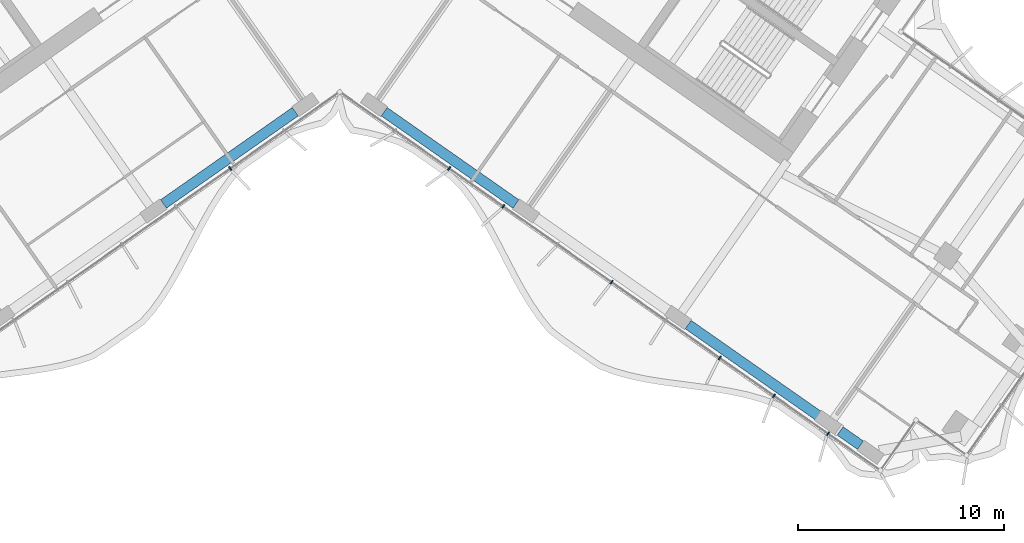
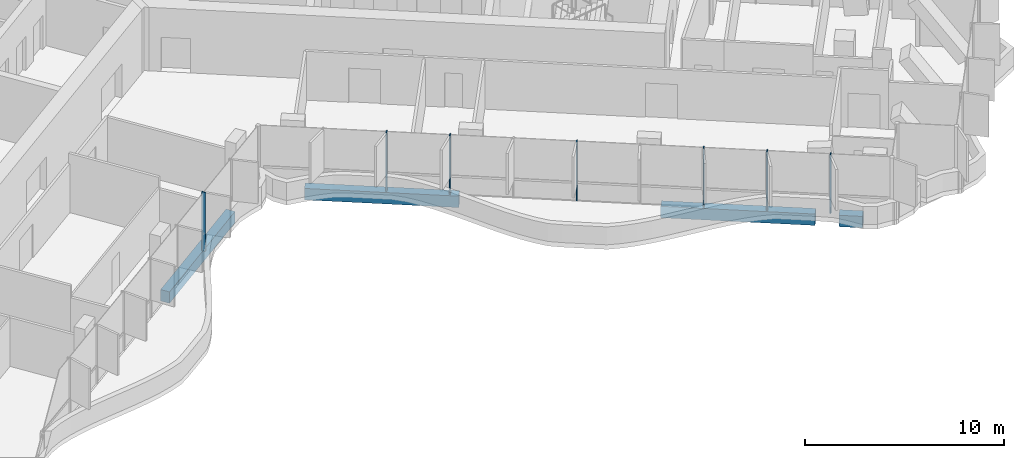
# One storey, part 5 of 23: 7 members, 4 beams, 1 element without a shape of its own.
"""IFC4 building model written with IfcOpenShell, lengths in metres."""

from ifc_helpers import new_model, si_unit, direction, frame, origin, origin_2d, place, context, subcontext, project, spatial, rectangle, extrude, material, material_profile, profile_set, type_object, element, aggregate, save


model = new_model("IFC4")

# Units and contexts
model_context = context("Model", 3, precision=1e-05, world=origin(), true_north=direction((0.0, 1.0)))
body_context = subcontext(model_context, "Body", "Model", "MODEL_VIEW")
ifc_project = project(units=[si_unit("LENGTHUNIT", "METRE"), si_unit("AREAUNIT", "SQUARE_METRE"), si_unit("VOLUMEUNIT", "CUBIC_METRE"), si_unit("PLANEANGLEUNIT", "RADIAN"), si_unit("MASSUNIT", "GRAM", prefix="KILO")], contexts=[model_context])

# Site, building, storey
site_placement = place(None, origin())
site = spatial("IfcSite", under=ifc_project, at=site_placement, CompositionType="ELEMENT")
building_placement = place(site_placement, origin())
building = spatial("IfcBuilding", under=site, at=building_placement, Name="Tel Ilan Convention Tower", CompositionType="ELEMENT")
storey_placement = place(building_placement, frame((0.0, 0.0, 186.60009765625)))
storey = spatial("IfcBuildingStorey", under=building, at=storey_placement, Name="L43", CompositionType="ELEMENT", Elevation=186.60009765625)

# Beams
ifc_material_1 = material(Name="Concrete C40/50", Category="concrete")
ifc_material_profile_1 = material_profile(ifc_material_1, rectangle(XDim=0.5, YDim=0.699951171875, at=origin_2d()), Name="RC 500x700")
ifc_profile_set_1 = profile_set([ifc_material_profile_1], Name="Concrete C40/50")
beam_type = type_object("IfcBeamType", Name="Beam RC 500x700 Concrete C40/50", PredefinedType="BEAM", material=ifc_profile_set_1)
for number, where, z_axis, x_axis, name in (
    (1, (-2.15673828125, -13.656982421875, -0.630126953125), (-0.819153977895, -0.573573674866, 0.0), (0.573573674866, -0.819153977895, 0.0), "L43 beam W-W-F1-W-F2"),
    (2, (2.15673828125, -13.656982421875, -0.630126953125), (0.819153977895, -0.573573674866, 0.0), (0.573573674866, 0.819153977895, 0.0), "L43 beam E-E-F1-E-F2"),
    (3, (16.901611328125, -23.981201171875, -0.630126953125), (0.819153977895, -0.573573674866, 0.0), (0.573573674866, 0.819153977895, 0.0), "L43 beam E-E-F3-E-F4"),
):
    element("IfcBeam", number, at=place(storey_placement, frame(where, z_axis=z_axis, x_axis=x_axis)), inside=storey, type_object=beam_type, Name=name, PredefinedType="BEAM", context=body_context, shape_type="SweptSolid", body=[
        extrude(rectangle(XDim=0.5, YDim=0.699951171875, at=origin_2d()), origin(), (0.0, 0.0, 1.0), 7.800048828125),
    ])
beam_placement = place(storey_placement, frame((24.27392578125, -29.1435546875, -0.630126953125), z_axis=(0.819155442668, -0.573571582932, 0.0), x_axis=(0.573571582932, 0.819155442668, 0.0)))
element("IfcBeam", 4, at=beam_placement, inside=storey, type_object=beam_type, Name="L43 beam E-E-F4-E-FC", PredefinedType="BEAM", context=body_context, shape_type="SweptSolid", body=[
    extrude(rectangle(XDim=0.5, YDim=0.699951171875, at=origin_2d()), origin(), (0.0, 0.0, 1.0), 1.199951171875),
])

# Curtain wall, members
ifc_material_2 = material(Name="Aluminium, bronze anodised", Category="aluminium")
curtain_wall_type = type_object("IfcCurtainWallType", Name="CW4 STICK CURTAIN WALL, OFFICE TINTED GLASS", PredefinedType="NOTDEFINED", material=ifc_material_2)
curtain_wall_placement = place(storey_placement, origin())
curtain_wall = element("IfcCurtainWall", 5, at=curtain_wall_placement, inside=storey, type_object=curtain_wall_type, Name="Curtain wall CW4-33.02", PredefinedType="NOTDEFINED")
ifc_material_3 = material(Name="Aluminium, bronze anodised", Category="aluminium")
ifc_material_profile_2 = material_profile(ifc_material_3, rectangle(XDim=0.06005859375, YDim=0.199951171875, at=origin_2d()), Name="CW MULLION 60x200")
ifc_profile_set_2 = profile_set([ifc_material_profile_2], Name="Aluminium, bronze anodised")
member_type = type_object("IfcMemberType", Name="CW MULLION 60x200", PredefinedType="MULLION", material=ifc_profile_set_2)
member_1_placement = place(storey_placement, frame((-5.307861328125, -16.41259765625, 0.0), z_axis=(0.0, 0.0, 1.0), x_axis=(0.819152044289, 0.573576436351, 0.0)))
member_1 = element("IfcMember", 6, at=member_1_placement, type_object=member_type, Name="Mullion", PredefinedType="MULLION", context=body_context, shape_type="SweptSolid", body=[
    extrude(rectangle(XDim=0.06005859375, YDim=0.199951171875, at=origin_2d()), origin(), (0.0, 0.0, 1.0), 3.619873046875),
])
member_2_placement = place(storey_placement, frame((5.307861328125, -16.41259765625, 0.0), z_axis=(0.0, 0.0, 1.0), x_axis=(0.819152044289, -0.573576436351, 0.0)))
member_2 = element("IfcMember", 7, at=member_2_placement, type_object=member_type, Name="Mullion", PredefinedType="MULLION", context=body_context, shape_type="SweptSolid", body=[
    extrude(rectangle(XDim=0.06005859375, YDim=0.199951171875, at=origin_2d()), origin(), (0.0, 0.0, 1.0), 3.619873046875),
])
member_3_placement = place(storey_placement, frame((7.932861328125, -18.250732421875, 0.0), z_axis=(0.0, 0.0, 1.0), x_axis=(0.819152044289, -0.573576436351, 0.0)))
member_3 = element("IfcMember", 8, at=member_3_placement, type_object=member_type, Name="Mullion", PredefinedType="MULLION", context=body_context, shape_type="SweptSolid", body=[
    extrude(rectangle(XDim=0.06005859375, YDim=0.199951171875, at=origin_2d()), origin(), (0.0, 0.0, 1.0), 3.619873046875),
])
member_4_placement = place(storey_placement, frame((13.183349609375, -21.92724609375, 0.0), z_axis=(0.0, 0.0, 1.0), x_axis=(0.819152044289, -0.573576436351, 0.0)))
member_4 = element("IfcMember", 9, at=member_4_placement, type_object=member_type, Name="Mullion", PredefinedType="MULLION", context=body_context, shape_type="SweptSolid", body=[
    extrude(rectangle(XDim=0.06005859375, YDim=0.199951171875, at=origin_2d()), origin(), (0.0, 0.0, 1.0), 3.619873046875),
])
member_5_placement = place(storey_placement, frame((18.433837890625, -25.603515625, 0.0), z_axis=(0.0, 0.0, 1.0), x_axis=(0.819152044289, -0.573576436351, 0.0)))
member_5 = element("IfcMember", 10, at=member_5_placement, type_object=member_type, Name="Mullion", PredefinedType="MULLION", context=body_context, shape_type="SweptSolid", body=[
    extrude(rectangle(XDim=0.06005859375, YDim=0.199951171875, at=origin_2d()), origin(), (0.0, 0.0, 1.0), 3.619873046875),
])
member_6_placement = place(storey_placement, frame((21.05908203125, -27.441650390625, 0.0), z_axis=(0.0, 0.0, 1.0), x_axis=(0.819152044289, -0.573576436351, 0.0)))
member_6 = element("IfcMember", 11, at=member_6_placement, type_object=member_type, Name="Mullion", PredefinedType="MULLION", context=body_context, shape_type="SweptSolid", body=[
    extrude(rectangle(XDim=0.06005859375, YDim=0.199951171875, at=origin_2d()), origin(), (0.0, 0.0, 1.0), 3.619873046875),
])
member_7_placement = place(storey_placement, frame((23.68408203125, -29.27978515625, 0.0), z_axis=(0.0, 0.0, 1.0), x_axis=(0.819152044289, -0.573576436351, 0.0)))
member_7 = element("IfcMember", 12, at=member_7_placement, type_object=member_type, Name="Mullion", PredefinedType="MULLION", context=body_context, shape_type="SweptSolid", body=[
    extrude(rectangle(XDim=0.06005859375, YDim=0.199951171875, at=origin_2d()), origin(), (0.0, 0.0, 1.0), 3.619873046875),
])
aggregate(curtain_wall, [member_1, member_2, member_3, member_4, member_5, member_6, member_7])

save(model, "model.ifc")
